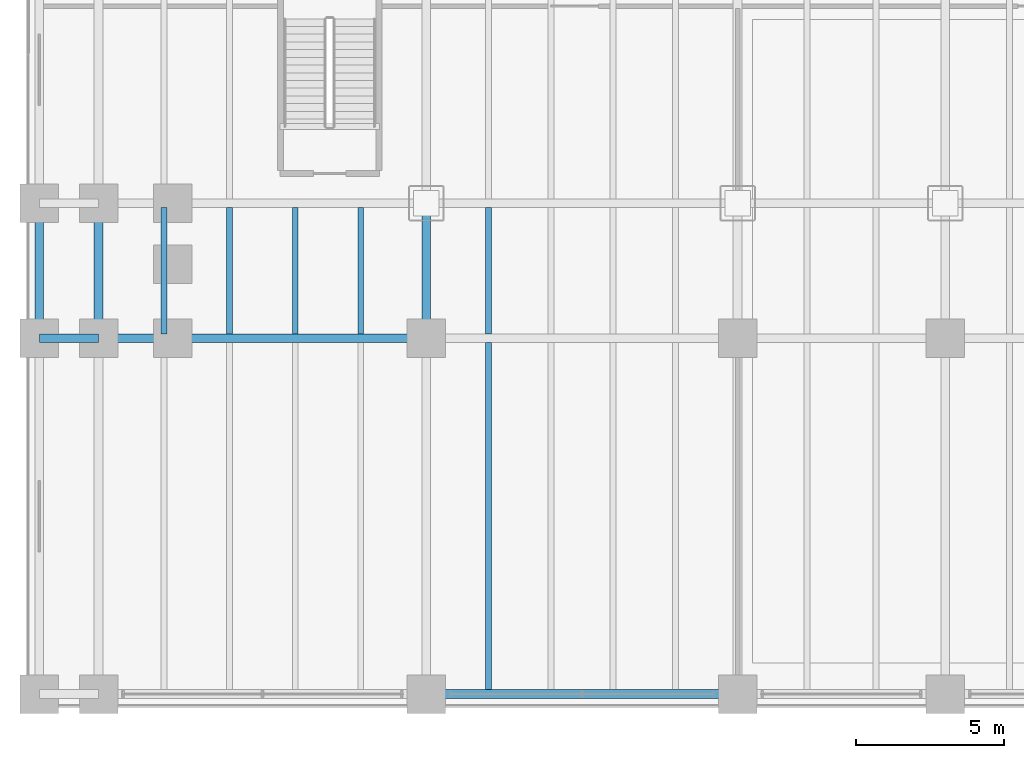
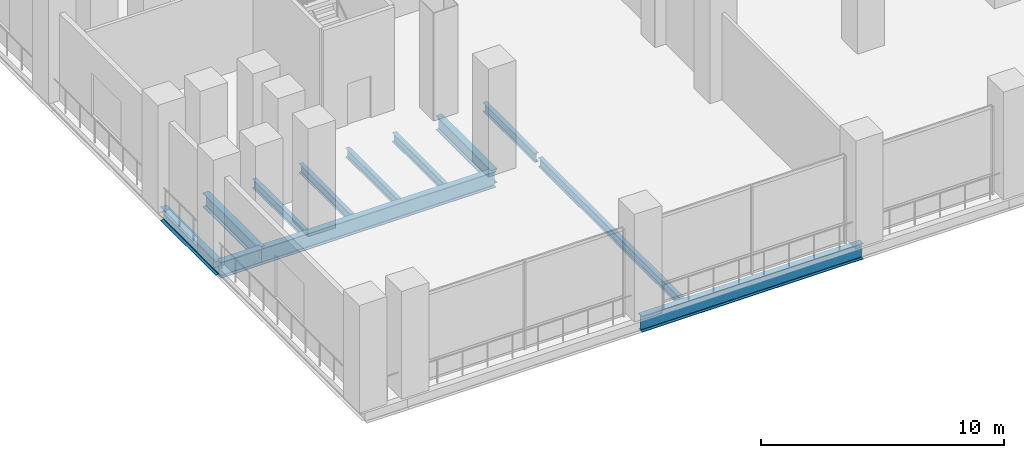
# One storey, part 5 of 31: 12 beams.
"""IFC4 building model written with IfcOpenShell, lengths in metres."""

from ifc_helpers import new_model, si_unit, direction, frame, origin, origin_2d, place, context, subcontext, project, spatial, i_section, extrude, material, material_profile, profile_set, type_object, element, save


model = new_model("IFC4")

# Units and contexts
model_context = context("Model", 3, precision=1e-05, world=origin(), true_north=direction((0.0, 1.0)))
body_context = subcontext(model_context, "Body", "Model", "MODEL_VIEW")
ifc_project = project(units=[si_unit("LENGTHUNIT", "METRE"), si_unit("AREAUNIT", "SQUARE_METRE"), si_unit("VOLUMEUNIT", "CUBIC_METRE"), si_unit("PLANEANGLEUNIT", "RADIAN"), si_unit("MASSUNIT", "GRAM", prefix="KILO")], contexts=[model_context])

# Site, building, storey
site_placement = place(None, origin())
site = spatial("IfcSite", under=ifc_project, at=site_placement, CompositionType="ELEMENT")
building_placement = place(site_placement, origin())
building = spatial("IfcBuilding", under=site, at=building_placement, Name="Noeulbin Bourse Tower", CompositionType="ELEMENT")
storey_placement = place(building_placement, frame((0.0, 0.0, 11.199951171875)))
storey = spatial("IfcBuildingStorey", under=building, at=storey_placement, Name="L03", CompositionType="ELEMENT", Elevation=11.199951171875)

# Beams
ifc_material = material(Name="Steel S355", Category="steel")
ifc_material_profile_1 = material_profile(ifc_material, i_section(OverallWidth=0.300048828125, OverallDepth=0.699951171875, WebThickness=0.012939453125, FlangeThickness=0.02392578125, FilletRadius=0.02392578125, at=origin_2d()), Name="H-700x300x13x24", Category="LoadBearing")
ifc_profile_set_1 = profile_set([ifc_material_profile_1], Name="Steel S355")
beam_type_1 = type_object("IfcBeamType", Name="BM-GRD-700", PredefinedType="USERDEFINED", material=ifc_profile_set_1)
for number, where, z_axis, x_axis, name in (
    (1, (0.449951171875, 15.449951171875, -0.599853515625), (0.0, 1.0, 0.0), (-1.0, 0.0, 0.0), "Podium Primary Girder NS L03-058"),
    (2, (2.449951171875, 15.449951171875, -0.599853515625), (0.0, 1.0, 0.0), (-1.0, 0.0, 0.0), "Podium Primary Girder NS L03-064"),
    (3, (13.5, 15.449951171875, -0.599853515625), (0.0, 1.0, 0.0), (-1.0, 0.0, 0.0), "Podium Primary Girder NS L03-070"),
):
    element("IfcBeam", number, at=place(storey_placement, frame(where, z_axis=z_axis, x_axis=x_axis)), inside=storey, type_object=beam_type_1, Name=name, ObjectType="GIRDER", PredefinedType="USERDEFINED", context=body_context, shape_type="SweptSolid", body=[
        extrude(i_section(OverallWidth=0.300048828125, OverallDepth=0.699951171875, WebThickness=0.012939453125, FlangeThickness=0.02392578125, FilletRadius=0.02392578125, at=origin_2d()), origin(), (0.0, 0.0, 1.0), 4.550048828125),
    ])
ifc_material_profile_2 = material_profile(ifc_material, i_section(OverallWidth=0.300048828125, OverallDepth=0.800048828125, WebThickness=0.013916015625, FlangeThickness=0.02587890625, FilletRadius=0.02587890625, at=origin_2d()), Name="H-800x300x14x26", Category="LoadBearing")
ifc_profile_set_2 = profile_set([ifc_material_profile_2], Name="Steel S355")
beam_type_2 = type_object("IfcBeamType", Name="BM-GRD-800", PredefinedType="USERDEFINED", material=ifc_profile_set_2)
beam_1_placement = place(storey_placement, frame((13.5, 3.449951171875, -0.64990234375), z_axis=(1.0, 0.0, 0.0), x_axis=(0.0, 1.0, 0.0)))
element("IfcBeam", 4, at=beam_1_placement, inside=storey, type_object=beam_type_2, Name="Podium Primary Girder EW L03-003", ObjectType="GIRDER", PredefinedType="USERDEFINED", context=body_context, shape_type="SweptSolid", body=[
    extrude(i_section(OverallWidth=0.300048828125, OverallDepth=0.800048828125, WebThickness=0.013916015625, FlangeThickness=0.02587890625, FilletRadius=0.02587890625, at=origin_2d()), origin(), (0.0, 0.0, 1.0), 10.5),
])
beam_2_placement = place(storey_placement, frame((0.449951171875, 15.449951171875, -0.64990234375), z_axis=(1.0, 0.0, 0.0), x_axis=(0.0, 1.0, 0.0)))
element("IfcBeam", 5, at=beam_2_placement, inside=storey, type_object=beam_type_2, Name="Podium Primary Girder EW L03-009", ObjectType="GIRDER", PredefinedType="USERDEFINED", context=body_context, shape_type="SweptSolid", body=[
    extrude(i_section(OverallWidth=0.300048828125, OverallDepth=0.800048828125, WebThickness=0.013916015625, FlangeThickness=0.02587890625, FilletRadius=0.02587890625, at=origin_2d()), origin(), (0.0, 0.0, 1.0), 2.0),
])
beam_3_placement = place(storey_placement, frame((2.449951171875, 15.449951171875, -0.64990234375), z_axis=(1.0, 0.0, 0.0), x_axis=(0.0, 1.0, 0.0)))
element("IfcBeam", 6, at=beam_3_placement, inside=storey, type_object=beam_type_2, Name="Podium Primary Girder EW L03-010", ObjectType="GIRDER", PredefinedType="USERDEFINED", context=body_context, shape_type="SweptSolid", body=[
    extrude(i_section(OverallWidth=0.300048828125, OverallDepth=0.800048828125, WebThickness=0.013916015625, FlangeThickness=0.02587890625, FilletRadius=0.02587890625, at=origin_2d()), origin(), (0.0, 0.0, 1.0), 11.050048828125),
])
ifc_material_profile_3 = material_profile(ifc_material, i_section(OverallWidth=0.199951171875, OverallDepth=0.449951171875, WebThickness=0.009033203125, FlangeThickness=0.013916015625, FilletRadius=0.01806640625, at=origin_2d()), Name="H-450x200x9x14", Category="LoadBearing")
ifc_profile_set_3 = profile_set([ifc_material_profile_3], Name="Steel S355")
beam_type_3 = type_object("IfcBeamType", Name="BM-SEC-450", PredefinedType="BEAM", material=ifc_profile_set_3)
for number, where, z_axis, x_axis, name in (
    (7, (4.659912109375, 15.60009765625, -0.474853515625), (0.0, 1.0, 0.0), (-1.0, 0.0, 0.0), "Podium Secondary Beam L03-002"),
    (8, (6.8701171875, 15.60009765625, -0.474853515625), (0.0, 1.0, 0.0), (-1.0, 0.0, 0.0), "Podium Secondary Beam L03-008"),
    (9, (9.080078125, 15.60009765625, -0.474853515625), (0.0, 1.0, 0.0), (-1.0, 0.0, 0.0), "Podium Secondary Beam L03-014"),
    (10, (11.2900390625, 15.60009765625, -0.474853515625), (0.0, 1.0, 0.0), (-1.0, 0.0, 0.0), "Podium Secondary Beam L03-019"),
):
    element("IfcBeam", number, at=place(storey_placement, frame(where, z_axis=z_axis, x_axis=x_axis)), inside=storey, type_object=beam_type_3, Name=name, PredefinedType="BEAM", context=body_context, shape_type="SweptSolid", body=[
        extrude(i_section(OverallWidth=0.199951171875, OverallDepth=0.449951171875, WebThickness=0.009033203125, FlangeThickness=0.013916015625, FilletRadius=0.01806640625, at=origin_2d()), origin(), (0.0, 0.0, 1.0), 4.25),
    ])
beam_4_placement = place(storey_placement, frame((15.60009765625, 3.60009765625, -0.474853515625), z_axis=(0.0, 1.0, 0.0), x_axis=(-1.0, 0.0, 0.0)))
element("IfcBeam", 11, at=beam_4_placement, inside=storey, type_object=beam_type_3, Name="Podium Secondary Beam L03-023", PredefinedType="BEAM", context=body_context, shape_type="SweptSolid", body=[
    extrude(i_section(OverallWidth=0.199951171875, OverallDepth=0.449951171875, WebThickness=0.009033203125, FlangeThickness=0.013916015625, FilletRadius=0.01806640625, at=origin_2d()), origin(), (0.0, 0.0, 1.0), 11.699951171875),
])
beam_5_placement = place(storey_placement, frame((15.60009765625, 15.60009765625, -0.474853515625), z_axis=(0.0, 1.0, 0.0), x_axis=(-1.0, 0.0, 0.0)))
element("IfcBeam", 12, at=beam_5_placement, inside=storey, type_object=beam_type_3, Name="Podium Secondary Beam L03-024", PredefinedType="BEAM", context=body_context, shape_type="SweptSolid", body=[
    extrude(i_section(OverallWidth=0.199951171875, OverallDepth=0.449951171875, WebThickness=0.009033203125, FlangeThickness=0.013916015625, FilletRadius=0.01806640625, at=origin_2d()), origin(), (0.0, 0.0, 1.0), 4.25),
])

save(model, "model.ifc")
